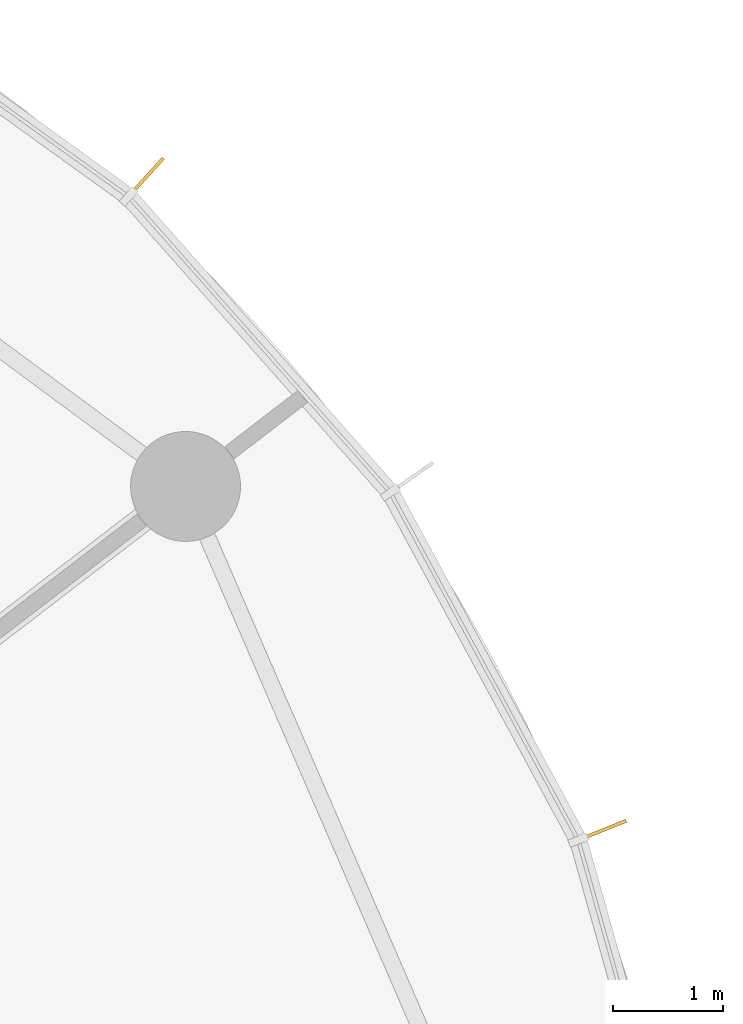
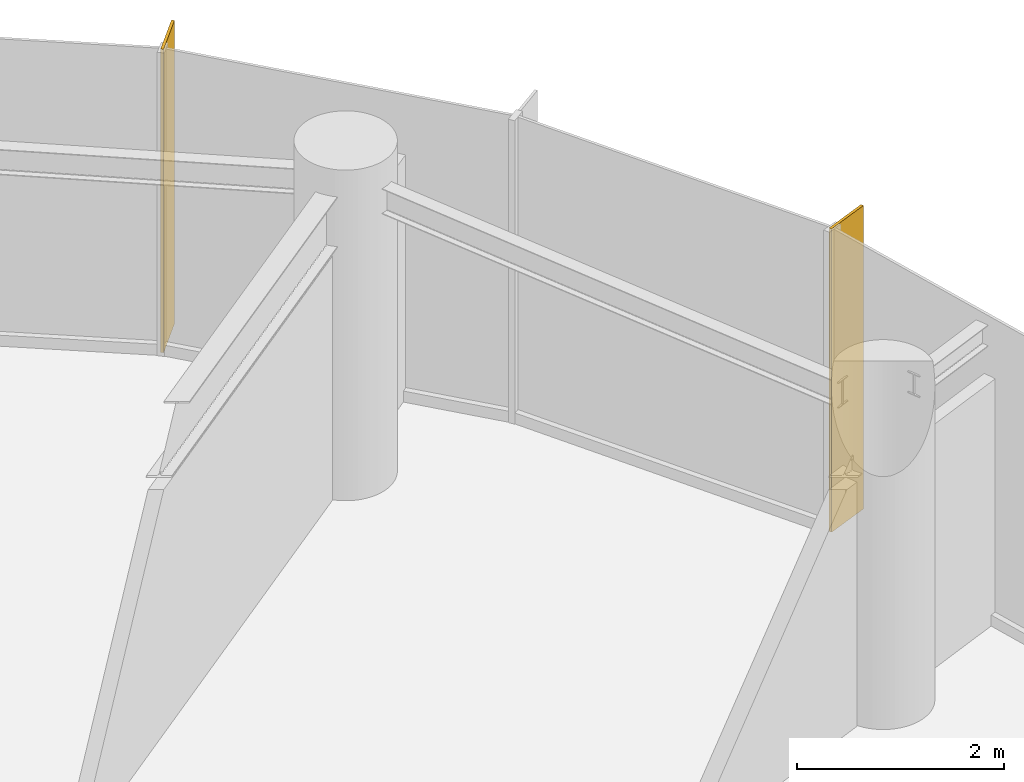
# One storey, part 14 of 14: 2 shading devices.
"""IFC4 building model written with IfcOpenShell, lengths in metres."""

import ifcopenshell
import ifcopenshell.guid

model = None  # the IFC model being written
_history = None  # IfcOwnerHistory: only IFC2X3 demands one
_inside = {}  # id of a spatial element -> (the spatial element, [elements in it])
_under = {}  # id of a project, library or spatial element -> (it, [spatial elements below it])
_declared = {}  # id of a project -> (the project, [libraries it declares])
_typed = {}  # id of a type object -> (the type object, [elements of that type])
_made_of = {}  # id of a material, layer set ... -> (it, [elements and type objects made of it])


def new_model(schema):
    """Start an empty IFC model of exactly this schema.

    Asked for "IFC4X3", IfcOpenShell would pick the latest addendum, in which some entities
    have other attributes; the version numbers below select the first issue.
    IFC2X3 requires an IfcOwnerHistory on every rooted entity: one is made here for all.
    """
    global model, _history
    if schema == "IFC4X3":
        model = ifcopenshell.file(schema_version=(4, 3, 0, 0))
    else:
        model = ifcopenshell.file(schema=schema)
    _inside.clear()
    _under.clear()
    _declared.clear()
    _typed.clear()
    _made_of.clear()
    _history = None
    if model.schema == "IFC2X3":
        org = make("IfcOrganization", Name="unknown")
        user = make(
            "IfcPersonAndOrganization",
            ThePerson=make("IfcPerson", FamilyName="unknown"),
            TheOrganization=org,
        )
        app = make(
            "IfcApplication",
            ApplicationDeveloper=org,
            Version="unknown",
            ApplicationFullName="unknown",
            ApplicationIdentifier="unknown",
        )
        _history = make(
            "IfcOwnerHistory",
            OwningUser=user,
            OwningApplication=app,
            ChangeAction="ADDED",
            CreationDate=0,
        )
    return model


def make(cls, **values):
    """One entity of the class cls with the attributes given. An attribute that is None is left unset."""
    return model.create_entity(
        cls, **{name: value for name, value in values.items() if value is not None}
    )


def rooted(cls, **values):
    """An entity with a GlobalId (a new one), such as an element, a storey or a relation."""
    return make(cls, GlobalId=ifcopenshell.guid.new(), OwnerHistory=_history, **values)


def si_unit(unit_type, name, prefix=None):
    """IfcSIUnit, for example si_unit("LENGTHUNIT", "METRE", prefix="MILLI")."""
    return make("IfcSIUnit", UnitType=unit_type, Prefix=prefix, Name=name)


def assignment(units):
    """IfcUnitAssignment: the units of a project."""
    return None if units is None else make("IfcUnitAssignment", Units=units)


def point(xyz):
    """IfcCartesianPoint."""
    return None if xyz is None else make("IfcCartesianPoint", Coordinates=xyz)


def direction(xyz):
    """IfcDirection."""
    return None if xyz is None else make("IfcDirection", DirectionRatios=xyz)


def frame(location, z_axis=None, x_axis=None):
    """IfcAxis2Placement3D, a coordinate frame: its origin and axes. An axis left out is left unset."""
    return make(
        "IfcAxis2Placement3D",
        Location=point(location),
        Axis=direction(z_axis),
        RefDirection=direction(x_axis),
    )


def frame_2d(location, x_axis=None):
    """IfcAxis2Placement2D, a coordinate frame in the plane: its origin and x axis."""
    return make(
        "IfcAxis2Placement2D", Location=point(location), RefDirection=direction(x_axis)
    )


def origin():
    """The frame at (0, 0, 0) with its axes left unset."""
    return frame((0.0, 0.0, 0.0))


def origin_2d():
    """The frame at (0, 0) in the plane with its x axis left unset."""
    return frame_2d((0.0, 0.0))


def place(relative_to, where):
    """IfcLocalPlacement: puts the frame where relative to a parent placement (None: the world)."""
    return make(
        "IfcLocalPlacement", PlacementRelTo=relative_to, RelativePlacement=where
    )


def context(
    kind, dimensions, precision=None, world=None, true_north=None, identifier=None
):
    """IfcGeometricRepresentationContext, for example the 3D "Model" context."""
    return make(
        "IfcGeometricRepresentationContext",
        ContextIdentifier=identifier,
        ContextType=kind,
        CoordinateSpaceDimension=dimensions,
        Precision=precision,
        WorldCoordinateSystem=world,
        TrueNorth=true_north,
    )


def subcontext(parent, identifier, kind, view, scale=None):
    """IfcGeometricRepresentationSubContext, for example "Body" below "Model"."""
    return make(
        "IfcGeometricRepresentationSubContext",
        ContextIdentifier=identifier,
        ContextType=kind,
        ParentContext=parent,
        TargetScale=scale,
        TargetView=view,
    )


def project(units=None, contexts=None):
    """IfcProject with its units and contexts."""
    return rooted(
        "IfcProject",
        Name="project",
        RepresentationContexts=contexts,
        UnitsInContext=assignment(units),
    )


def spatial(cls, under=None, at=None, **own):
    """A site, building, storey or space (cls), placed at a placement, below another one or the project."""
    s = rooted(cls, ObjectPlacement=at, **own)
    if under is not None:
        _under.setdefault(under.id(), (under, []))[1].append(s)
    return s


def profile(cls, at=None, kind="AREA", **sizes):
    """A parametric profile (cls). Its sizes go by their IFC names, for example OverallWidth=200.0."""
    return make(cls, ProfileType=kind, Position=at, **sizes)


def rectangle(**sizes):
    """IfcRectangleProfileDef."""
    return profile("IfcRectangleProfileDef", **sizes)


def extrude(swept, where, along, depth):
    """IfcExtrudedAreaSolid: the profile swept, set in the frame where, extruded along a direction by depth."""
    return make(
        "IfcExtrudedAreaSolid",
        SweptArea=swept,
        Position=where,
        ExtrudedDirection=direction(along),
        Depth=depth,
    )


def shape(context_of_items, identifier, shape_type, items):
    """IfcShapeRepresentation: the items that make up one representation, for example the "Body"."""
    return make(
        "IfcShapeRepresentation",
        ContextOfItems=context_of_items,
        RepresentationIdentifier=identifier,
        RepresentationType=shape_type,
        Items=items,
    )


def source(mapping_origin, context_of_items, identifier, shape_type, items):
    """IfcRepresentationMap: a shape defined once, which mapped items show again and again."""
    return make(
        "IfcRepresentationMap",
        MappingOrigin=mapping_origin,
        MappedRepresentation=shape(context_of_items, identifier, shape_type, items),
    )


def transform(
    local_origin,
    x_axis=None,
    y_axis=None,
    z_axis=None,
    scale=None,
    scale2=None,
    scale3=None,
    uniform=True,
):
    """IfcCartesianTransformationOperator3D, or its non-uniform kind. x_axis, y_axis, z_axis: its Axis1, 2, 3."""
    if uniform:
        return make(
            "IfcCartesianTransformationOperator3D",
            Axis1=direction(x_axis),
            Axis2=direction(y_axis),
            LocalOrigin=point(local_origin),
            Scale=scale,
            Axis3=direction(z_axis),
        )
    return make(
        "IfcCartesianTransformationOperator3DnonUniform",
        Axis1=direction(x_axis),
        Axis2=direction(y_axis),
        LocalOrigin=point(local_origin),
        Scale=scale,
        Axis3=direction(z_axis),
        Scale2=scale2,
        Scale3=scale3,
    )


def mapped(mapping_source, mapping_target):
    """IfcMappedItem: shows the shape of a source again, moved by a transform."""
    return make(
        "IfcMappedItem", MappingSource=mapping_source, MappingTarget=mapping_target
    )


def material(Name=None, Category=None):
    """IfcMaterial."""
    return make("IfcMaterial", Name=Name, Category=Category)


def material_profile(
    of_material, cross_section, Name=None, Category=None, Priority=None
):
    """IfcMaterialProfile: a cross section and its material."""
    return make(
        "IfcMaterialProfile",
        Name=Name,
        Material=of_material,
        Profile=cross_section,
        Priority=Priority,
        Category=Category,
    )


def profile_set(profiles, Name=None, composite=None):
    """IfcMaterialProfileSet."""
    return make(
        "IfcMaterialProfileSet",
        Name=Name,
        MaterialProfiles=profiles,
        CompositeProfile=composite,
    )


def made_of(thing, what):
    """Note that an element or type object is made of a material, layer set ...; save() writes the relation."""
    if what is not None:
        _made_of.setdefault(what.id(), (what, []))[1].append(thing)
    return thing


def type_object(cls, material=None, **own):
    """A type object (cls), such as IfcWallType, which elements share."""
    return made_of(rooted(cls, **own), material)


def element(
    cls,
    number,
    at=None,
    inside=None,
    cuts=None,
    type_object=None,
    material=None,
    context=None,
    identifier="Body",
    shape_type=None,
    held_by="IfcProductDefinitionShape",
    body=None,
    shapes=None,
    **own,
):
    """One element of the class cls, such as IfcWall. Its Tag is "e" and its number.

    at: its placement. inside: the storey or other place that contains it. cuts: it is an
    opening in that element (IfcRelVoidsElement). A single representation is given by context,
    identifier, shape_type and body (its items); several are given by shapes. held_by: the class
    of the entity that holds the representations. save() writes the other relations.
    """
    e = rooted(cls, Tag="e%d" % number, ObjectPlacement=at, **own)
    if body is not None:
        shapes = [shape(context, identifier, shape_type, body)]
    if shapes is not None:
        e.Representation = make(held_by, Representations=shapes)
    if inside is not None:
        _inside.setdefault(inside.id(), (inside, []))[1].append(e)
    if cuts is not None:
        rooted(
            "IfcRelVoidsElement", RelatingBuildingElement=cuts, RelatedOpeningElement=e
        )
    if type_object is not None:
        _typed.setdefault(type_object.id(), (type_object, []))[1].append(e)
    return made_of(e, material)


def aggregate(whole, parts):
    """IfcRelAggregates: a whole, such as a stair, and the parts it consists of."""
    return rooted("IfcRelAggregates", RelatingObject=whole, RelatedObjects=parts)


def save(model, path):
    """Write the relations noted so far, then the file.

    IfcRelAggregates (storeys below a building ...), IfcRelContainedInSpatialStructure (elements
    in a storey), IfcRelDefinesByType, IfcRelAssociatesMaterial and IfcRelDeclares: one each for
    every whole, place, type object, material and project.
    """
    for whole, parts in _under.values():
        aggregate(whole, parts)
    for where, things in _inside.values():
        rooted(
            "IfcRelContainedInSpatialStructure",
            RelatedElements=things,
            RelatingStructure=where,
        )
    for kind, things in _typed.values():
        rooted("IfcRelDefinesByType", RelatedObjects=things, RelatingType=kind)
    for what, things in _made_of.values():
        rooted("IfcRelAssociatesMaterial", RelatedObjects=things, RelatingMaterial=what)
    for by, libraries in _declared.values():
        rooted("IfcRelDeclares", RelatingContext=by, RelatedDefinitions=libraries)
    model.write(path)


model = new_model("IFC4")

# Units and contexts
model_context = context("Model", 3, precision=1e-05, world=origin(), true_north=direction((0.0, 1.0)))
body_context = subcontext(model_context, "Body", "Model", "MODEL_VIEW")
ifc_project = project(units=[si_unit("LENGTHUNIT", "METRE"), si_unit("AREAUNIT", "SQUARE_METRE"), si_unit("VOLUMEUNIT", "CUBIC_METRE"), si_unit("PLANEANGLEUNIT", "RADIAN"), si_unit("MASSUNIT", "GRAM", prefix="KILO")], contexts=[model_context])

# Site, building, storey
site_placement = place(None, origin())
site = spatial("IfcSite", under=ifc_project, at=site_placement, CompositionType="ELEMENT")
building_placement = place(site_placement, origin())
building = spatial("IfcBuilding", under=site, at=building_placement, Name="Spindrift Exchange Tower", CompositionType="ELEMENT")
storey_placement = place(building_placement, frame((0.0, 0.0, 164.300048828125)))
storey = spatial("IfcBuildingStorey", under=building, at=storey_placement, Name="L39", CompositionType="ELEMENT", Elevation=164.300048828125)

# Shading devices
ifc_material = material(Name="Bronze anodised aluminium", Category="aluminium")
ifc_material_profile = material_profile(ifc_material, rectangle(XDim=0.030029296875, YDim=0.5, at=origin_2d()), Name="WIND FIN 30X500")
ifc_profile_set = profile_set([ifc_material_profile], Name="Bronze anodised aluminium")
shading_device_type = type_object("IfcShadingDeviceType", Name="WIND FIN 30X500", PredefinedType="USERDEFINED", material=ifc_profile_set)
shared_shape = source(origin(), body_context, "Body", "SweptSolid", [
    extrude(rectangle(XDim=0.030029296875, YDim=0.5, at=origin_2d()), origin(), (0.0, 0.0, 1.0), 3.579833984375),
])
for number, where, z_axis, x_axis, name in (
    (1, (71.455078125, 66.013427734375, 0.0), (0.0, 0.0, 1.0), (-0.741568504056, 0.670877152534, 0.0), "L39 wind fin 3"),
    (2, (75.602783203125, 60.078369140625, 0.0), (0.0, 0.0, 1.0), (-0.375124372117, 0.92697449018, 0.0), "L39 wind fin 4"),
):
    element("IfcShadingDevice", number, at=place(storey_placement, frame(where, z_axis=z_axis, x_axis=x_axis)), inside=storey, type_object=shading_device_type, Name=name, ObjectType="FIN", PredefinedType="USERDEFINED", context=body_context, shape_type="MappedRepresentation", body=[
        mapped(shared_shape, transform((0.0, 0.0, 0.0), scale=1.0)),
    ])

save(model, "model.ifc")
